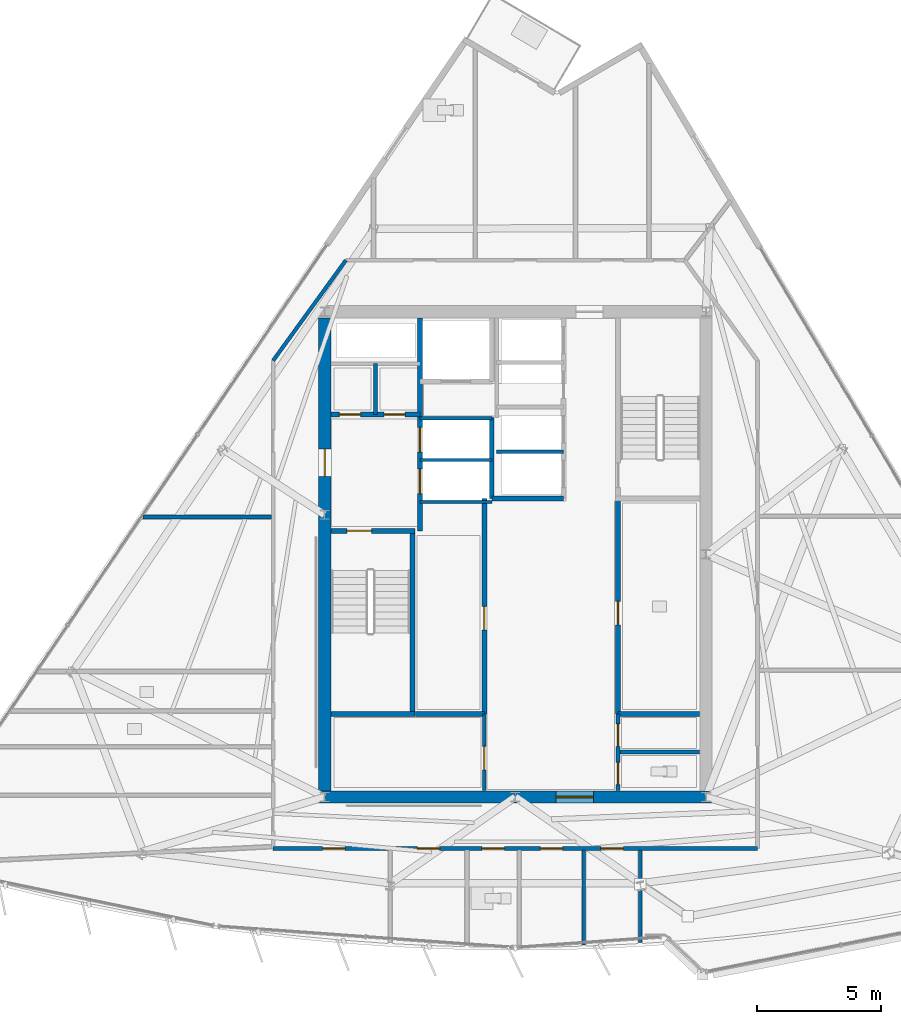
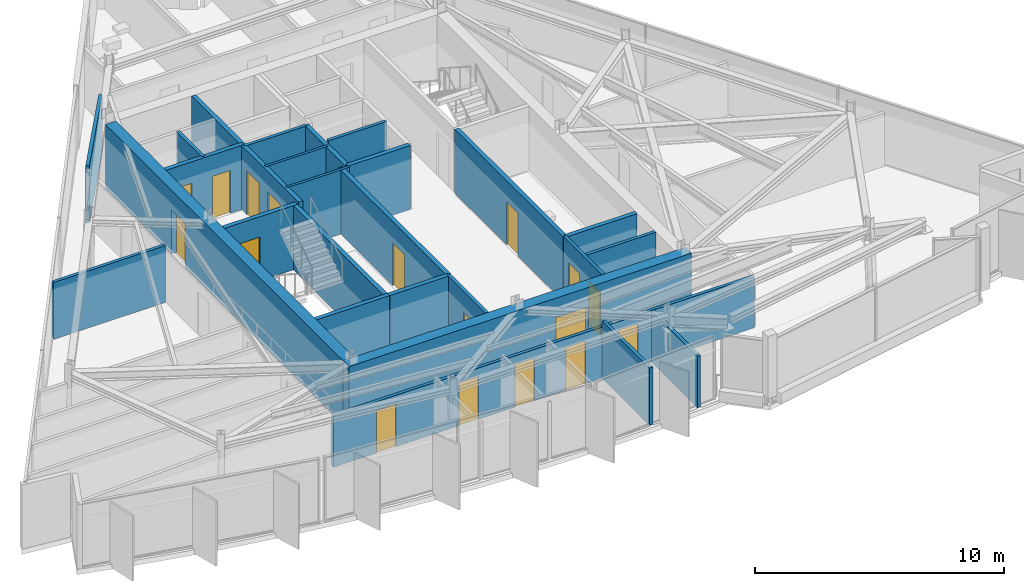
# One storey, part 7 of 13: 26 walls, 17 doors, 17 openings.
"""IFC4 building model written with IfcOpenShell, lengths in metres."""

from ifc_helpers import new_model, si_unit, direction, frame, frame_2d, origin, place, context, subcontext, project, spatial, rectangle, extrude, material, layer, layer_set, type_object, element, fill, save


model = new_model("IFC4")

# Units and contexts
model_context = context("Model", 3, precision=1e-05, world=origin(), true_north=direction((0.0, 1.0)))
body_context = subcontext(model_context, "Body", "Model", "MODEL_VIEW")
ifc_project = project(units=[si_unit("LENGTHUNIT", "METRE"), si_unit("AREAUNIT", "SQUARE_METRE"), si_unit("VOLUMEUNIT", "CUBIC_METRE"), si_unit("PLANEANGLEUNIT", "RADIAN"), si_unit("MASSUNIT", "GRAM", prefix="KILO")], contexts=[model_context])

# Site, building, storey
site_placement = place(None, origin())
site = spatial("IfcSite", under=ifc_project, at=site_placement, CompositionType="ELEMENT")
building_placement = place(site_placement, origin())
building = spatial("IfcBuilding", under=site, at=building_placement, Name="Savorim Split Tower", CompositionType="ELEMENT")
storey_placement = place(building_placement, frame((0.0, 0.0, 290.39990234375)))
storey = spatial("IfcBuildingStorey", under=building, at=storey_placement, Name="L77", CompositionType="ELEMENT", Elevation=290.39990234375)

# Wall, opening, door
ifc_material_1 = material(Name="Concrete C60/75", Category="concrete")
ifc_layer_1 = layer(ifc_material_1, 0.5)
ifc_layer_set_1 = layer_set([ifc_layer_1], Name="WAL-COR-SH500")
wall_type_1 = type_object("IfcWallType", Name="WAL-COR-SH500", PredefinedType="SHEAR", material=ifc_layer_set_1)
wall_1_placement = place(storey_placement, frame((-7.949951171875, -9.39990234375, 0.0), z_axis=(0.0, 0.0, 1.0), x_axis=(1.0, 0.0, 0.0)))
wall_1 = element("IfcWall", 1, at=wall_1_placement, inside=storey, type_object=wall_type_1, Name="L77 Offset Core South Shear Wall", PredefinedType="SHEAR", context=body_context, shape_type="SweptSolid", body=[
    extrude(rectangle(XDim=15.89990234375, YDim=0.5, at=frame_2d((7.949951171875, 0.0))), origin(), (0.0, 0.0, 1.0), 3.150146484375),
])
opening_1_placement = place(wall_1_placement, frame((9.60009765625, 0.0, 0.0)))
opening_1 = element("IfcOpeningElement", 2, at=opening_1_placement, cuts=wall_1, Name="Opening DI-02", PredefinedType="OPENING", context=body_context, shape_type="SweptSolid", body=[
    extrude(rectangle(XDim=1.5, YDim=2.199951171875, at=frame_2d((0.75, 1.10009765625))), frame((0.0, 0.260009765625, 0.0), z_axis=(0.0, -1.0, 0.0), x_axis=(1.0, 0.0, 0.0)), (0.0, 0.0, 1.0), 0.52001953125),
])
ifc_material_2 = material(Name="Timber Fire Door Leaf", Category="wood")
door_type_1 = type_object("IfcDoorType", Name="DOR-DBL-1500", OperationType="NOTDEFINED", PredefinedType="DOOR", material=ifc_material_2)
door_1_placement = place(opening_1_placement, origin())
door_1 = element("IfcDoor", 3, at=door_1_placement, inside=storey, type_object=door_type_1, Name="DOR-L77-COR-LLOB - L77 Lift Lobby Main Rated Door", OperationType="DOUBLE_DOOR_SINGLE_SWING", OverallHeight=2.199951171875, OverallWidth=1.5, PredefinedType="DOOR", context=body_context, shape_type="SweptSolid", body=[
    extrude(rectangle(XDim=1.5, YDim=2.199951171875, at=frame_2d((0.75, 1.10009765625))), frame((0.0, 0.02490234375, 0.0), z_axis=(0.0, -1.0, 0.0), x_axis=(1.0, 0.0, 0.0)), (0.0, 0.0, 1.0), 0.050048828125),
])
fill(opening_1, door_1)

wall_2_placement = place(storey_placement, frame((-7.699951171875, -9.14990234375, 0.0), z_axis=(0.0, 0.0, 1.0), x_axis=(0.0, 1.0, 0.0)))
wall_2 = element("IfcWall", 4, at=wall_2_placement, inside=storey, type_object=wall_type_1, Name="L77 Offset Core West Shear Wall", PredefinedType="SHEAR", context=body_context, shape_type="SweptSolid", body=[
    extrude(rectangle(XDim=19.099853515625, YDim=0.5, at=frame_2d((9.5498046875, 0.0))), origin(), (0.0, 0.0, 1.0), 3.150146484375),
])
opening_2_placement = place(wall_2_placement, frame((12.699951171875, 0.0, 0.0)))
opening_2 = element("IfcOpeningElement", 5, at=opening_2_placement, cuts=wall_2, Name="Opening DI-03", PredefinedType="OPENING", context=body_context, shape_type="SweptSolid", body=[
    extrude(rectangle(XDim=1.10009765625, YDim=2.14990234375, at=frame_2d((0.550048828125, 1.074951171875))), frame((0.0, 0.260009765625, 0.0), z_axis=(0.0, -1.0, 0.0), x_axis=(1.0, 0.0, 0.0)), (0.0, 0.0, 1.0), 0.52001953125),
])
door_type_2 = type_object("IfcDoorType", Name="DOR-FIR-1100", OperationType="NOTDEFINED", PredefinedType="DOOR", material=ifc_material_2)
door_2_placement = place(opening_2_placement, origin())
door_2 = element("IfcDoor", 6, at=door_2_placement, inside=storey, type_object=door_type_2, Name="DOR-L77-COR-FFLOB - L77 Firefighting Lobby Corridor Door", OperationType="SINGLE_SWING_LEFT", OverallHeight=2.14990234375, OverallWidth=1.10009765625, PredefinedType="DOOR", context=body_context, shape_type="SweptSolid", body=[
    extrude(rectangle(XDim=1.10009765625, YDim=2.14990234375, at=frame_2d((0.550048828125, 1.074951171875))), frame((0.0, 0.02490234375, 0.0), z_axis=(0.0, -1.0, 0.0), x_axis=(1.0, 0.0, 0.0)), (0.0, 0.0, 1.0), 0.050048828125),
])
fill(opening_2, door_2)

ifc_material_3 = material(Name="Concrete C50/60", Category="concrete")
ifc_layer_2 = layer(ifc_material_3, 0.199951171875)
ifc_layer_set_2 = layer_set([ifc_layer_2], Name="WAL-INT-RC200")
wall_type_2 = type_object("IfcWallType", Name="WAL-INT-RC200", PredefinedType="SOLIDWALL", material=ifc_layer_set_2)
wall_3_placement = place(storey_placement, frame((-7.449951171875, 1.35009765625, 0.0), z_axis=(0.0, 0.0, 1.0), x_axis=(1.0, 0.0, 0.0)))
wall_3 = element("IfcWall", 7, at=wall_3_placement, inside=storey, type_object=wall_type_2, Name="L77 Structural Shaft Wall W-L77-CR01", PredefinedType="SOLIDWALL", context=body_context, shape_type="SweptSolid", body=[
    extrude(rectangle(XDim=3.39990234375, YDim=0.199951171875, at=frame_2d((1.699951171875, 0.0))), origin(), (0.0, 0.0, 1.0), 3.150146484375),
])
opening_3_placement = place(wall_3_placement, frame((0.64990234375, 0.0, 0.0)))
opening_3 = element("IfcOpeningElement", 8, at=opening_3_placement, cuts=wall_3, Name="Opening DI-04", PredefinedType="OPENING", context=body_context, shape_type="SweptSolid", body=[
    extrude(rectangle(XDim=1.0, YDim=2.14990234375, at=frame_2d((0.5, 1.074951171875))), frame((0.0, 0.10986328125, 0.0), z_axis=(0.0, -1.0, 0.0), x_axis=(1.0, 0.0, 0.0)), (0.0, 0.0, 1.0), 0.219970703125),
])
door_type_3 = type_object("IfcDoorType", Name="DOR-FIR-1000", OperationType="NOTDEFINED", PredefinedType="DOOR", material=ifc_material_2)
door_3_placement = place(opening_3_placement, origin())
door_3 = element("IfcDoor", 9, at=door_3_placement, inside=storey, type_object=door_type_3, Name="DR-L77-ST1 - L77 Stair ST-1 Enclosure Door", OperationType="SINGLE_SWING_LEFT", OverallHeight=2.14990234375, OverallWidth=1.0, PredefinedType="DOOR", context=body_context, shape_type="SweptSolid", body=[
    extrude(rectangle(XDim=1.0, YDim=2.14990234375, at=frame_2d((0.5, 1.074951171875))), frame((0.0, 0.02490234375, 0.0), z_axis=(0.0, -1.0, 0.0), x_axis=(1.0, 0.0, 0.0)), (0.0, 0.0, 1.0), 0.050048828125),
])
fill(opening_3, door_3)

# Wall
wall_4_placement = place(storey_placement, frame((-4.14990234375, -5.949951171875, 0.0), z_axis=(0.0, 0.0, 1.0), x_axis=(0.0, 1.0, 0.0)))
element("IfcWall", 10, at=wall_4_placement, inside=storey, type_object=wall_type_2, Name="L77 Structural Shaft Wall W-L77-CR02", PredefinedType="SOLIDWALL", context=body_context, shape_type="SweptSolid", body=[
    extrude(rectangle(XDim=7.199951171875, YDim=0.199951171875, at=frame_2d((3.60009765625, 0.0))), origin(), (0.0, 0.0, 1.0), 3.150146484375),
])

# Wall, openings, doors
wall_5_placement = place(storey_placement, frame((-3.85009765625, 1.35009765625, 0.0), z_axis=(0.0, 0.0, 1.0), x_axis=(0.0, 1.0, 0.0)))
wall_5 = element("IfcWall", 11, at=wall_5_placement, inside=storey, type_object=wall_type_2, Name="L77 Partition W-L77-CR03", PredefinedType="SOLIDWALL", context=body_context, shape_type="SweptSolid", body=[
    extrude(rectangle(XDim=8.594970703125, YDim=0.199951171875, at=frame_2d((4.29736328125, 0.0))), origin(), (0.0, 0.0, 1.0), 3.150146484375),
])
opening_4_placement = place(wall_5_placement, frame((1.5, 0.0, 0.0)))
opening_4 = element("IfcOpeningElement", 12, at=opening_4_placement, cuts=wall_5, Name="Opening LD-FFL", PredefinedType="OPENING", context=body_context, shape_type="SweptSolid", body=[
    extrude(rectangle(XDim=1.0, YDim=2.14990234375, at=frame_2d((0.5, 1.074951171875))), frame((0.0, 0.10986328125, 0.0), z_axis=(0.0, -1.0, 0.0), x_axis=(1.0, 0.0, 0.0)), (0.0, 0.0, 1.0), 0.219970703125),
])
opening_5_placement = place(wall_5_placement, frame((3.179931640625, 0.0, 0.0)))
opening_5 = element("IfcOpeningElement", 13, at=opening_5_placement, cuts=wall_5, Name="Opening LD-FFL", PredefinedType="OPENING", context=body_context, shape_type="SweptSolid", body=[
    extrude(rectangle(XDim=1.0, YDim=2.14990234375, at=frame_2d((0.5, 1.074951171875))), frame((0.0, 0.10986328125, 0.0), z_axis=(0.0, -1.0, 0.0), x_axis=(1.0, 0.0, 0.0)), (0.0, 0.0, 1.0), 0.219970703125),
])
ifc_material_4 = material(Name="Charcoal Anodised Aluminium", Category="aluminium")
door_type_4 = type_object("IfcDoorType", Name="DOR-SLD-LD1000", OperationType="NOTDEFINED", PredefinedType="DOOR", material=ifc_material_4)
door_4_placement = place(opening_4_placement, origin())
door_4 = element("IfcDoor", 14, at=door_4_placement, inside=storey, type_object=door_type_4, Name="DR-L77-LD-FFL1 - L77 Firefighting Lift FFL-1 Sliding Landing Door", OperationType="DOUBLE_DOOR_SLIDING", OverallHeight=2.14990234375, OverallWidth=1.0, PredefinedType="DOOR", context=body_context, shape_type="SweptSolid", body=[
    extrude(rectangle(XDim=1.0, YDim=2.14990234375, at=frame_2d((0.5, 1.074951171875))), frame((0.0, 0.02490234375, 0.0), z_axis=(0.0, -1.0, 0.0), x_axis=(1.0, 0.0, 0.0)), (0.0, 0.0, 1.0), 0.050048828125),
])
fill(opening_4, door_4)
door_5_placement = place(opening_5_placement, origin())
door_5 = element("IfcDoor", 15, at=door_5_placement, inside=storey, type_object=door_type_4, Name="DR-L77-LD-FFL2 - L77 Firefighting Lift FFL-2 Sliding Landing Door", OperationType="DOUBLE_DOOR_SLIDING", OverallHeight=2.14990234375, OverallWidth=1.0, PredefinedType="DOOR", context=body_context, shape_type="SweptSolid", body=[
    extrude(rectangle(XDim=1.0, YDim=2.14990234375, at=frame_2d((0.5, 1.074951171875))), frame((0.0, 0.02490234375, 0.0), z_axis=(0.0, -1.0, 0.0), x_axis=(1.0, 0.0, 0.0)), (0.0, 0.0, 1.0), 0.050048828125),
])
fill(opening_5, door_5)

wall_6_placement = place(storey_placement, frame((-7.445068359375, 6.050048828125, 0.0), z_axis=(0.0, 0.0, 1.0), x_axis=(1.0, 0.0, 0.0)))
wall_6 = element("IfcWall", 16, at=wall_6_placement, inside=storey, type_object=wall_type_2, Name="L77 Partition W-L77-CR04", PredefinedType="SOLIDWALL", context=body_context, shape_type="SweptSolid", body=[
    extrude(rectangle(XDim=3.594970703125, YDim=0.199951171875, at=frame_2d((1.79736328125, 0.0))), origin(), (0.0, 0.0, 1.0), 3.150146484375),
])
opening_6_placement = place(wall_6_placement, frame((0.344970703125, 0.0, 0.0)))
opening_6 = element("IfcOpeningElement", 17, at=opening_6_placement, cuts=wall_6, Name="Opening DI-12", PredefinedType="OPENING", context=body_context, shape_type="SweptSolid", body=[
    extrude(rectangle(XDim=0.85009765625, YDim=2.10009765625, at=frame_2d((0.425048828125, 1.050048828125))), frame((0.0, 0.10986328125, 0.0), z_axis=(0.0, -1.0, 0.0), x_axis=(1.0, 0.0, 0.0)), (0.0, 0.0, 1.0), 0.219970703125),
])
opening_7_placement = place(wall_6_placement, frame((2.14501953125, 0.0, 0.0)))
opening_7 = element("IfcOpeningElement", 18, at=opening_7_placement, cuts=wall_6, Name="Opening DI-12", PredefinedType="OPENING", context=body_context, shape_type="SweptSolid", body=[
    extrude(rectangle(XDim=0.85009765625, YDim=2.10009765625, at=frame_2d((0.425048828125, 1.050048828125))), frame((0.0, 0.10986328125, 0.0), z_axis=(0.0, -1.0, 0.0), x_axis=(1.0, 0.0, 0.0)), (0.0, 0.0, 1.0), 0.219970703125),
])
ifc_material_5 = material(Name="Galvanised Painted Steel Balustrade", Category="steel")
door_type_5 = type_object("IfcDoorType", Name="DOR-RIS-850", OperationType="NOTDEFINED", PredefinedType="DOOR", material=ifc_material_5)
door_6_placement = place(opening_6_placement, origin())
door_6 = element("IfcDoor", 19, at=door_6_placement, inside=storey, type_object=door_type_5, Name="DR-L77-ELR - L77 Electrical Riser Access Door", OperationType="SINGLE_SWING_RIGHT", OverallHeight=2.10009765625, OverallWidth=0.85009765625, PredefinedType="DOOR", context=body_context, shape_type="SweptSolid", body=[
    extrude(rectangle(XDim=0.85009765625, YDim=2.10009765625, at=frame_2d((0.425048828125, 1.050048828125))), frame((0.0, 0.02490234375, 0.0), z_axis=(0.0, -1.0, 0.0), x_axis=(1.0, 0.0, 0.0)), (0.0, 0.0, 1.0), 0.050048828125),
])
fill(opening_6, door_6)
door_7_placement = place(opening_7_placement, origin())
door_7 = element("IfcDoor", 20, at=door_7_placement, inside=storey, type_object=door_type_5, Name="DR-L77-TLR - L77 Telecom Riser Access Door", OperationType="SINGLE_SWING_LEFT", OverallHeight=2.10009765625, OverallWidth=0.85009765625, PredefinedType="DOOR", context=body_context, shape_type="SweptSolid", body=[
    extrude(rectangle(XDim=0.85009765625, YDim=2.10009765625, at=frame_2d((0.425048828125, 1.050048828125))), frame((0.0, 0.02490234375, 0.0), z_axis=(0.0, -1.0, 0.0), x_axis=(1.0, 0.0, 0.0)), (0.0, 0.0, 1.0), 0.050048828125),
])
fill(opening_7, door_7)

# Wall
wall_7_placement = place(storey_placement, frame((-0.949951171875, 2.64990234375, 0.0), z_axis=(0.0, 0.0, 1.0), x_axis=(0.0, 1.0, 0.0)))
element("IfcWall", 21, at=wall_7_placement, inside=storey, type_object=wall_type_2, Name="L77 Partition W-L77-FFLW", PredefinedType="SOLIDWALL", context=body_context, shape_type="SweptSolid", body=[
    extrude(rectangle(XDim=3.27001953125, YDim=0.199951171875, at=frame_2d((1.635009765625, 0.0))), origin(), (0.0, 0.0, 1.0), 3.150146484375),
])

# Wall, opening, door
wall_8_placement = place(storey_placement, frame((4.14990234375, -6.050048828125, 0.0), z_axis=(0.0, 0.0, 1.0), x_axis=(0.0, 1.0, 0.0)))
wall_8 = element("IfcWall", 22, at=wall_8_placement, inside=storey, type_object=wall_type_2, Name="L77 Partition W-L77-B1FRONT", PredefinedType="SOLIDWALL", context=body_context, shape_type="SweptSolid", body=[
    extrude(rectangle(XDim=8.699951171875, YDim=0.199951171875, at=frame_2d((4.35009765625, 0.0))), origin(), (0.0, 0.0, 1.0), 3.150146484375),
])
opening_8_placement = place(wall_8_placement, frame((3.60009765625, 0.0, 0.0)))
opening_8 = element("IfcOpeningElement", 23, at=opening_8_placement, cuts=wall_8, Name="Opening DI-05", PredefinedType="OPENING", context=body_context, shape_type="SweptSolid", body=[
    extrude(rectangle(XDim=0.949951171875, YDim=2.10009765625, at=frame_2d((0.47509765625, 1.050048828125))), frame((0.0, 0.10986328125, 0.0), z_axis=(0.0, -1.0, 0.0), x_axis=(1.0, 0.0, 0.0)), (0.0, 0.0, 1.0), 0.219970703125),
])
door_type_6 = type_object("IfcDoorType", Name="DOR-FIR-950", OperationType="NOTDEFINED", PredefinedType="DOOR", material=ifc_material_2)
door_8_placement = place(opening_8_placement, origin())
door_8 = element("IfcDoor", 24, at=door_8_placement, inside=storey, type_object=door_type_6, Name="DR-L77-LV7B1 - L77 Community Laundry Room Door", OperationType="SINGLE_SWING_RIGHT", OverallHeight=2.10009765625, OverallWidth=0.949951171875, PredefinedType="DOOR", context=body_context, shape_type="SweptSolid", body=[
    extrude(rectangle(XDim=0.949951171875, YDim=2.10009765625, at=frame_2d((0.47509765625, 1.050048828125))), frame((0.0, 0.02490234375, 0.0), z_axis=(0.0, -1.0, 0.0), x_axis=(1.0, 0.0, 0.0)), (0.0, 0.0, 1.0), 0.050048828125),
])
fill(opening_8, door_8)

wall_9_placement = place(storey_placement, frame((-1.25, -6.050048828125, 0.0), z_axis=(0.0, 0.0, 1.0), x_axis=(0.0, 1.0, 0.0)))
wall_9 = element("IfcWall", 25, at=wall_9_placement, inside=storey, type_object=wall_type_2, Name="L77 Partition W-L77-B2FRONT", PredefinedType="SOLIDWALL", context=body_context, shape_type="SweptSolid", body=[
    extrude(rectangle(XDim=8.699951171875, YDim=0.199951171875, at=frame_2d((4.35009765625, 0.0))), origin(), (0.0, 0.0, 1.0), 3.150146484375),
])
opening_9_placement = place(wall_9_placement, frame((3.39990234375, 0.0, 0.0)))
opening_9 = element("IfcOpeningElement", 26, at=opening_9_placement, cuts=wall_9, Name="Opening DI-05", PredefinedType="OPENING", context=body_context, shape_type="SweptSolid", body=[
    extrude(rectangle(XDim=0.949951171875, YDim=2.10009765625, at=frame_2d((0.47509765625, 1.050048828125))), frame((0.0, 0.10986328125, 0.0), z_axis=(0.0, -1.0, 0.0), x_axis=(1.0, 0.0, 0.0)), (0.0, 0.0, 1.0), 0.219970703125),
])
door_9_placement = place(opening_9_placement, origin())
door_9 = element("IfcDoor", 27, at=door_9_placement, inside=storey, type_object=door_type_6, Name="DR-L77-LV7B2 - L77 Quiet Study Room Door", OperationType="SINGLE_SWING_LEFT", OverallHeight=2.10009765625, OverallWidth=0.949951171875, PredefinedType="DOOR", context=body_context, shape_type="SweptSolid", body=[
    extrude(rectangle(XDim=0.949951171875, YDim=2.10009765625, at=frame_2d((0.47509765625, 1.050048828125))), frame((0.0, 0.02490234375, 0.0), z_axis=(0.0, -1.0, 0.0), x_axis=(1.0, 0.0, 0.0)), (0.0, 0.0, 1.0), 0.050048828125),
])
fill(opening_9, door_9)

# Walls
wall_10_placement = place(storey_placement, frame((-0.949951171875, 2.64990234375, 0.0), z_axis=(0.0, 0.0, 1.0), x_axis=(1.0, 0.0, 0.0)))
element("IfcWall", 28, at=wall_10_placement, inside=storey, type_object=wall_type_2, Name="L77 Partition W-L77-B3SOUTH", PredefinedType="SOLIDWALL", context=body_context, shape_type="SweptSolid", body=[
    extrude(rectangle(XDim=2.89990234375, YDim=0.199951171875, at=frame_2d((1.449951171875, 0.0))), origin(), (0.0, 0.0, 1.0), 3.150146484375),
])
wall_11_placement = place(storey_placement, frame((-7.449951171875, -6.050048828125, 0.0), z_axis=(0.0, 0.0, 1.0), x_axis=(1.0, 0.0, 0.0)))
element("IfcWall", 29, at=wall_11_placement, inside=storey, type_object=wall_type_2, Name="L77 Structural Shaft Wall W-L77-KSEP-W", PredefinedType="SOLIDWALL", context=body_context, shape_type="SweptSolid", body=[
    extrude(rectangle(XDim=3.39990234375, YDim=0.199951171875, at=frame_2d((1.699951171875, 0.0))), origin(), (0.0, 0.0, 1.0), 3.150146484375),
])
wall_12_placement = place(storey_placement, frame((-4.0400390625, -6.050048828125, 0.0), z_axis=(0.0, 0.0, 1.0), x_axis=(1.0, 0.0, 0.0)))
element("IfcWall", 30, at=wall_12_placement, inside=storey, type_object=wall_type_2, Name="L77 Partition W-L77-KSEP-W2", PredefinedType="SOLIDWALL", context=body_context, shape_type="SweptSolid", body=[
    extrude(rectangle(XDim=2.7900390625, YDim=0.199951171875, at=frame_2d((1.39501953125, 0.0))), origin(), (0.0, 0.0, 1.0), 3.150146484375),
])
wall_13_placement = place(storey_placement, frame((4.14990234375, -6.050048828125, 0.0), z_axis=(0.0, 0.0, 1.0), x_axis=(1.0, 0.0, 0.0)))
element("IfcWall", 31, at=wall_13_placement, inside=storey, type_object=wall_type_2, Name="L77 Partition W-L77-KSEP-E", PredefinedType="SOLIDWALL", context=body_context, shape_type="SweptSolid", body=[
    extrude(rectangle(XDim=3.295166015625, YDim=0.199951171875, at=frame_2d((1.6474609375, 0.0))), origin(), (0.0, 0.0, 1.0), 3.150146484375),
])
ifc_material_6 = material(Name="Acoustic Gypsum Partition Board")
ifc_layer_3 = layer(ifc_material_6, 0.1201171875)
ifc_layer_set_3 = layer_set([ifc_layer_3], Name="WAL-PAR-120")
wall_type_3 = type_object("IfcWallType", Name="WAL-PAR-120", PredefinedType="PARTITIONING", material=ifc_layer_set_3)
for number, where, z_axis, x_axis, name in (
    (32, (-3.85009765625, 2.52001953125, 0.0), (0.0, 0.0, 1.0), (1.0, 0.0, 0.0), "L77 Partition W-L77-FFLD0"),
    (33, (-3.85009765625, 4.219970703125, 0.0), (0.0, 0.0, 1.0), (1.0, 0.0, 0.0), "L77 Partition W-L77-FFLD1"),
):
    element("IfcWall", number, at=place(storey_placement, frame(where, z_axis=z_axis, x_axis=x_axis)), inside=storey, type_object=wall_type_3, Name=name, PredefinedType="PARTITIONING", context=body_context, shape_type="SweptSolid", body=[
        extrude(rectangle(XDim=2.900146484375, YDim=0.1201171875, at=frame_2d((1.4501953125, 0.0))), origin(), (0.0, 0.0, 1.0), 3.150146484375),
    ])
ifc_layer_4 = layer(ifc_material_6, 0.14990234375)
ifc_layer_set_4 = layer_set([ifc_layer_4], Name="WAL-PAR-150")
wall_type_4 = type_object("IfcWallType", Name="WAL-PAR-150", PredefinedType="PARTITIONING", material=ifc_layer_set_4)
wall_14_placement = place(storey_placement, frame((-5.64990234375, 6.050048828125, 0.0), z_axis=(0.0, 0.0, 1.0), x_axis=(0.0, 1.0, 0.0)))
element("IfcWall", 34, at=wall_14_placement, inside=storey, type_object=wall_type_4, Name="L77 Partition W-L77-CR06", PredefinedType="PARTITIONING", context=body_context, shape_type="SweptSolid", body=[
    extrude(rectangle(XDim=2.050048828125, YDim=0.14990234375, at=frame_2d((1.02490234375, 0.0))), origin(), (0.0, 0.0, 1.0), 3.150146484375),
])
wall_15_placement = place(storey_placement, frame((-3.85009765625, 5.89990234375, 0.0), z_axis=(0.0, 0.0, 1.0), x_axis=(1.0, 0.0, 0.0)))
element("IfcWall", 35, at=wall_15_placement, inside=storey, type_object=wall_type_4, Name="L77 Partition W-L77-FFLD2", PredefinedType="PARTITIONING", context=body_context, shape_type="SweptSolid", body=[
    extrude(rectangle(XDim=2.900146484375, YDim=0.14990234375, at=frame_2d((1.4501953125, 0.0))), origin(), (0.0, 0.0, 1.0), 3.150146484375),
])
wall_16_placement = place(storey_placement, frame((-0.75, 4.550048828125, 0.0), z_axis=(0.0, 0.0, 1.0), x_axis=(1.0, 0.0, 0.0)))
element("IfcWall", 36, at=wall_16_placement, inside=storey, type_object=wall_type_4, Name="L77 Partition W-L77-B3DIV1", PredefinedType="PARTITIONING", context=body_context, shape_type="SweptSolid", body=[
    extrude(rectangle(XDim=2.699951171875, YDim=0.14990234375, at=frame_2d((1.35009765625, 0.0))), origin(), (0.0, 0.0, 1.0), 3.150146484375),
])

# Wall, opening, door
wall_17_placement = place(storey_placement, frame((-1.25, -9.14501953125, 0.0), z_axis=(0.0, 0.0, 1.0), x_axis=(0.0, 1.0, 0.0)))
wall_17 = element("IfcWall", 37, at=wall_17_placement, inside=storey, type_object=wall_type_4, Name="L77 Partition W-L77-KLOB-W", PredefinedType="PARTITIONING", context=body_context, shape_type="SweptSolid", body=[
    extrude(rectangle(XDim=3.094970703125, YDim=0.14990234375, at=frame_2d((1.54736328125, 0.0))), origin(), (0.0, 0.0, 1.0), 3.150146484375),
])
opening_10_placement = place(wall_17_placement, frame((0.844970703125, 0.0, 0.0)))
opening_10 = element("IfcOpeningElement", 38, at=opening_10_placement, cuts=wall_17, Name="Opening DI-05", PredefinedType="OPENING", context=body_context, shape_type="SweptSolid", body=[
    extrude(rectangle(XDim=0.949951171875, YDim=2.10009765625, at=frame_2d((0.47509765625, 1.050048828125))), frame((0.0, 0.0849609375, 0.0), z_axis=(0.0, -1.0, 0.0), x_axis=(1.0, 0.0, 0.0)), (0.0, 0.0, 1.0), 0.169921875),
])
door_10_placement = place(opening_10_placement, origin())
door_10 = element("IfcDoor", 39, at=door_10_placement, inside=storey, type_object=door_type_6, Name="DR-L77-K3LIN - L77 Housekeeping Store Door", OperationType="SINGLE_SWING_LEFT", OverallHeight=2.10009765625, OverallWidth=0.949951171875, PredefinedType="DOOR", context=body_context, shape_type="SweptSolid", body=[
    extrude(rectangle(XDim=0.949951171875, YDim=2.10009765625, at=frame_2d((0.47509765625, 1.050048828125))), frame((0.0, 0.02490234375, 0.0), z_axis=(0.0, -1.0, 0.0), x_axis=(1.0, 0.0, 0.0)), (0.0, 0.0, 1.0), 0.050048828125),
])
fill(opening_10, door_10)

# Wall, openings, doors
wall_18_placement = place(storey_placement, frame((4.14990234375, -9.14501953125, 0.0), z_axis=(0.0, 0.0, 1.0), x_axis=(0.0, 1.0, 0.0)))
wall_18 = element("IfcWall", 40, at=wall_18_placement, inside=storey, type_object=wall_type_4, Name="L77 Partition W-L77-KLOB-E", PredefinedType="PARTITIONING", context=body_context, shape_type="SweptSolid", body=[
    extrude(rectangle(XDim=3.094970703125, YDim=0.14990234375, at=frame_2d((1.54736328125, 0.0))), origin(), (0.0, 0.0, 1.0), 3.150146484375),
])
opening_11_placement = place(wall_18_placement, frame((0.2451171875, 0.0, 0.0)))
opening_11 = element("IfcOpeningElement", 41, at=opening_11_placement, cuts=wall_18, Name="Opening DI-11", PredefinedType="OPENING", context=body_context, shape_type="SweptSolid", body=[
    extrude(rectangle(XDim=0.89990234375, YDim=2.10009765625, at=frame_2d((0.449951171875, 1.050048828125))), frame((0.0, 0.0849609375, 0.0), z_axis=(0.0, -1.0, 0.0), x_axis=(1.0, 0.0, 0.0)), (0.0, 0.0, 1.0), 0.169921875),
])
opening_12_placement = place(wall_18_placement, frame((1.794921875, 0.0, 0.0)))
opening_12 = element("IfcOpeningElement", 42, at=opening_12_placement, cuts=wall_18, Name="Opening DI-06", PredefinedType="OPENING", context=body_context, shape_type="SweptSolid", body=[
    extrude(rectangle(XDim=0.89990234375, YDim=2.10009765625, at=frame_2d((0.449951171875, 1.050048828125))), frame((0.0, 0.0849609375, 0.0), z_axis=(0.0, -1.0, 0.0), x_axis=(1.0, 0.0, 0.0)), (0.0, 0.0, 1.0), 0.169921875),
])
door_type_7 = type_object("IfcDoorType", Name="DOR-FIR-900", OperationType="NOTDEFINED", PredefinedType="DOOR", material=ifc_material_2)
door_11_placement = place(opening_12_placement, origin())
door_11 = element("IfcDoor", 43, at=door_11_placement, inside=storey, type_object=door_type_7, Name="DR-L77-K3LCK - L77 Cleaning Store Door", OperationType="SINGLE_SWING_LEFT", OverallHeight=2.10009765625, OverallWidth=0.89990234375, PredefinedType="DOOR", context=body_context, shape_type="SweptSolid", body=[
    extrude(rectangle(XDim=0.89990234375, YDim=2.10009765625, at=frame_2d((0.449951171875, 1.050048828125))), frame((0.0, 0.02490234375, 0.0), z_axis=(0.0, -1.0, 0.0), x_axis=(1.0, 0.0, 0.0)), (0.0, 0.0, 1.0), 0.050048828125),
])
fill(opening_12, door_11)
ifc_material_7 = material(Name="Oak Veneer Acoustic Door")
door_type_8 = type_object("IfcDoorType", Name="DOR-WC-900", OperationType="NOTDEFINED", PredefinedType="DOOR", material=ifc_material_7)
door_12_placement = place(opening_11_placement, origin())
door_12 = element("IfcDoor", 44, at=door_12_placement, inside=storey, type_object=door_type_8, Name="DR-L77-K3AWC - L77 Core Accessible WC Door", OperationType="SINGLE_SWING_RIGHT", OverallHeight=2.10009765625, OverallWidth=0.89990234375, PredefinedType="DOOR", context=body_context, shape_type="SweptSolid", body=[
    extrude(rectangle(XDim=0.89990234375, YDim=2.10009765625, at=frame_2d((0.449951171875, 1.050048828125))), frame((0.0, 0.02490234375, 0.0), z_axis=(0.0, -1.0, 0.0), x_axis=(1.0, 0.0, 0.0)), (0.0, 0.0, 1.0), 0.050048828125),
])
fill(opening_11, door_12)

# Walls
wall_19_placement = place(storey_placement, frame((4.14990234375, -7.580078125, 0.0), z_axis=(0.0, 0.0, 1.0), x_axis=(1.0, 0.0, 0.0)))
element("IfcWall", 45, at=wall_19_placement, inside=storey, type_object=wall_type_4, Name="L77 Partition W-L77-K3H", PredefinedType="PARTITIONING", context=body_context, shape_type="SweptSolid", body=[
    extrude(rectangle(XDim=3.295166015625, YDim=0.14990234375, at=frame_2d((1.6474609375, 0.0))), origin(), (0.0, 0.0, 1.0), 3.150146484375),
])
wall_20_placement = place(storey_placement, frame((-9.780029296875, 8.225830078125, 0.0), z_axis=(0.0, 0.0, 1.0), x_axis=(0.586956386413, 0.809618552436, 0.0)))
element("IfcWall", 46, at=wall_20_placement, inside=storey, type_object=wall_type_4, Name="L77 Partition W-L77-COR-02", PredefinedType="PARTITIONING", context=body_context, shape_type="SweptSolid", body=[
    extrude(rectangle(XDim=5.007568359375, YDim=0.14990234375, at=frame_2d((2.50390625, 0.0))), origin(), (0.0, 0.0, 1.0), 2.815185546875),
])

# Wall, openings, doors
wall_21_placement = place(storey_placement, frame((9.780029296875, -11.47998046875, 0.0), z_axis=(0.0, 0.0, 1.0), x_axis=(-1.0, 0.0, 0.0)))
wall_21 = element("IfcWall", 47, at=wall_21_placement, inside=storey, type_object=wall_type_4, Name="L77 Partition W-L77-COR-06", PredefinedType="PARTITIONING", context=body_context, shape_type="SweptSolid", body=[
    extrude(rectangle(XDim=19.56005859375, YDim=0.14990234375, at=frame_2d((9.780029296875, 0.0))), origin(), (0.0, 0.0, 1.0), 2.525146484375),
])
opening_13_placement = place(wall_21_placement, frame((16.656982421875, 0.0, 0.0)))
opening_13 = element("IfcOpeningElement", 48, at=opening_13_placement, cuts=wall_21, Name="Opening DI-06", PredefinedType="OPENING", context=body_context, shape_type="SweptSolid", body=[
    extrude(rectangle(XDim=0.89990234375, YDim=2.10009765625, at=frame_2d((0.449951171875, 1.050048828125))), frame((0.0, 0.0849609375, 0.0), z_axis=(0.0, -1.0, 0.0), x_axis=(1.0, 0.0, 0.0)), (0.0, 0.0, 1.0), 0.169921875),
])
opening_14_placement = place(wall_21_placement, frame((12.832275390625, 0.0, 0.0)))
opening_14 = element("IfcOpeningElement", 49, at=opening_14_placement, cuts=wall_21, Name="Opening DI-06", PredefinedType="OPENING", context=body_context, shape_type="SweptSolid", body=[
    extrude(rectangle(XDim=0.89990234375, YDim=2.10009765625, at=frame_2d((0.449951171875, 1.050048828125))), frame((0.0, 0.0849609375, 0.0), z_axis=(0.0, -1.0, 0.0), x_axis=(1.0, 0.0, 0.0)), (0.0, 0.0, 1.0), 0.169921875),
])
opening_15_placement = place(wall_21_placement, frame((10.224853515625, 0.0, 0.0)))
opening_15 = element("IfcOpeningElement", 50, at=opening_15_placement, cuts=wall_21, Name="Opening DI-11", PredefinedType="OPENING", context=body_context, shape_type="SweptSolid", body=[
    extrude(rectangle(XDim=0.89990234375, YDim=2.10009765625, at=frame_2d((0.449951171875, 1.050048828125))), frame((0.0, 0.0849609375, 0.0), z_axis=(0.0, -1.0, 0.0), x_axis=(1.0, 0.0, 0.0)), (0.0, 0.0, 1.0), 0.169921875),
])
opening_16_placement = place(wall_21_placement, frame((7.86376953125, 0.0, 0.0)))
opening_16 = element("IfcOpeningElement", 51, at=opening_16_placement, cuts=wall_21, Name="Opening DI-06", PredefinedType="OPENING", context=body_context, shape_type="SweptSolid", body=[
    extrude(rectangle(XDim=0.89990234375, YDim=2.10009765625, at=frame_2d((0.449951171875, 1.050048828125))), frame((0.0, 0.0849609375, 0.0), z_axis=(0.0, -1.0, 0.0), x_axis=(1.0, 0.0, 0.0)), (0.0, 0.0, 1.0), 0.169921875),
])
opening_17_placement = place(wall_21_placement, frame((5.4189453125, 0.0, 0.0)))
opening_17 = element("IfcOpeningElement", 52, at=opening_17_placement, cuts=wall_21, Name="Opening DI-06", PredefinedType="OPENING", context=body_context, shape_type="SweptSolid", body=[
    extrude(rectangle(XDim=0.89990234375, YDim=2.10009765625, at=frame_2d((0.449951171875, 1.050048828125))), frame((0.0, 0.0849609375, 0.0), z_axis=(0.0, -1.0, 0.0), x_axis=(1.0, 0.0, 0.0)), (0.0, 0.0, 1.0), 0.169921875),
])
door_13_placement = place(opening_13_placement, origin())
door_13 = element("IfcDoor", 53, at=door_13_placement, inside=storey, type_object=door_type_7, Name="DR-L77-RM06 - L77 Maker Workshop Entry Door", OperationType="SINGLE_SWING_LEFT", OverallHeight=2.10009765625, OverallWidth=0.89990234375, PredefinedType="DOOR", context=body_context, shape_type="SweptSolid", body=[
    extrude(rectangle(XDim=0.89990234375, YDim=2.10009765625, at=frame_2d((0.449951171875, 1.050048828125))), frame((0.0, 0.02490234375, 0.0), z_axis=(0.0, -1.0, 0.0), x_axis=(1.0, 0.0, 0.0)), (0.0, 0.0, 1.0), 0.050048828125),
])
fill(opening_13, door_13)
door_14_placement = place(opening_14_placement, origin())
door_14 = element("IfcDoor", 54, at=door_14_placement, inside=storey, type_object=door_type_7, Name="DR-L77-RM07 - L77 Quiet Study Room Entry Door", OperationType="SINGLE_SWING_RIGHT", OverallHeight=2.10009765625, OverallWidth=0.89990234375, PredefinedType="DOOR", context=body_context, shape_type="SweptSolid", body=[
    extrude(rectangle(XDim=0.89990234375, YDim=2.10009765625, at=frame_2d((0.449951171875, 1.050048828125))), frame((0.0, 0.02490234375, 0.0), z_axis=(0.0, -1.0, 0.0), x_axis=(1.0, 0.0, 0.0)), (0.0, 0.0, 1.0), 0.050048828125),
])
fill(opening_14, door_14)
door_15_placement = place(opening_16_placement, origin())
door_15 = element("IfcDoor", 55, at=door_15_placement, inside=storey, type_object=door_type_7, Name="DR-L77-RM09 - L77 Quiet Study Room Entry Door", OperationType="SINGLE_SWING_RIGHT", OverallHeight=2.10009765625, OverallWidth=0.89990234375, PredefinedType="DOOR", context=body_context, shape_type="SweptSolid", body=[
    extrude(rectangle(XDim=0.89990234375, YDim=2.10009765625, at=frame_2d((0.449951171875, 1.050048828125))), frame((0.0, 0.02490234375, 0.0), z_axis=(0.0, -1.0, 0.0), x_axis=(1.0, 0.0, 0.0)), (0.0, 0.0, 1.0), 0.050048828125),
])
fill(opening_16, door_15)
door_16_placement = place(opening_17_placement, origin())
door_16 = element("IfcDoor", 56, at=door_16_placement, inside=storey, type_object=door_type_7, Name="DR-L77-RM10 - L77 Co-Living Bedroom Entry Door", OperationType="SINGLE_SWING_LEFT", OverallHeight=2.10009765625, OverallWidth=0.89990234375, PredefinedType="DOOR", context=body_context, shape_type="SweptSolid", body=[
    extrude(rectangle(XDim=0.89990234375, YDim=2.10009765625, at=frame_2d((0.449951171875, 1.050048828125))), frame((0.0, 0.02490234375, 0.0), z_axis=(0.0, -1.0, 0.0), x_axis=(1.0, 0.0, 0.0)), (0.0, 0.0, 1.0), 0.050048828125),
])
fill(opening_17, door_16)
door_17_placement = place(opening_15_placement, origin())
door_17 = element("IfcDoor", 57, at=door_17_placement, inside=storey, type_object=door_type_8, Name="DR-L77-RM08 - L77 Shared Bathroom Entry Door", OperationType="SINGLE_SWING_LEFT", OverallHeight=2.10009765625, OverallWidth=0.89990234375, PredefinedType="DOOR", context=body_context, shape_type="SweptSolid", body=[
    extrude(rectangle(XDim=0.89990234375, YDim=2.10009765625, at=frame_2d((0.449951171875, 1.050048828125))), frame((0.0, 0.02490234375, 0.0), z_axis=(0.0, -1.0, 0.0), x_axis=(1.0, 0.0, 0.0)), (0.0, 0.0, 1.0), 0.050048828125),
])
fill(opening_15, door_17)

# Walls
wall_22_placement = place(storey_placement, frame((5.05224609375, -11.5400390625, 0.0), z_axis=(0.0, 0.0, 1.0), x_axis=(0.0, -1.0, 0.0)))
element("IfcWall", 58, at=wall_22_placement, inside=storey, type_object=wall_type_4, Name="L77 Partition W-L77-PRAD03", PredefinedType="PARTITIONING", context=body_context, shape_type="SweptSolid", body=[
    extrude(rectangle(XDim=3.726806640625, YDim=0.14990234375, at=frame_2d((1.86328125, 0.0))), origin(), (0.0, 0.0, 1.0), 2.525146484375),
])
wall_23_placement = place(storey_placement, frame((2.77001953125, -11.5400390625, 0.0), z_axis=(0.0, 0.0, 1.0), x_axis=(-6.375518e-05, -0.999999997968, 0.0)))
element("IfcWall", 59, at=wall_23_placement, inside=storey, type_object=wall_type_4, Name="L77 Partition W-L77-SUB07", PredefinedType="PARTITIONING", context=body_context, shape_type="SweptSolid", body=[
    extrude(rectangle(XDim=3.829345703125, YDim=0.14990234375, at=frame_2d((1.91455078125, 0.0))), origin(), (0.0, 0.0, 1.0), 2.815185546875),
])
wall_24_placement = place(storey_placement, frame((-9.840087890625, 1.91064453125, 0.0), z_axis=(0.0, 0.0, 1.0), x_axis=(-1.0, 0.0, 0.0)))
element("IfcWall", 60, at=wall_24_placement, inside=storey, type_object=wall_type_4, Name="L77 Partition W-L77-SUB11", PredefinedType="PARTITIONING", context=body_context, shape_type="SweptSolid", body=[
    extrude(rectangle(XDim=5.198974609375, YDim=0.14990234375, at=frame_2d((2.599609375, 0.0))), origin(), (0.0, 0.0, 1.0), 2.795166015625),
])

save(model, "model.ifc")
